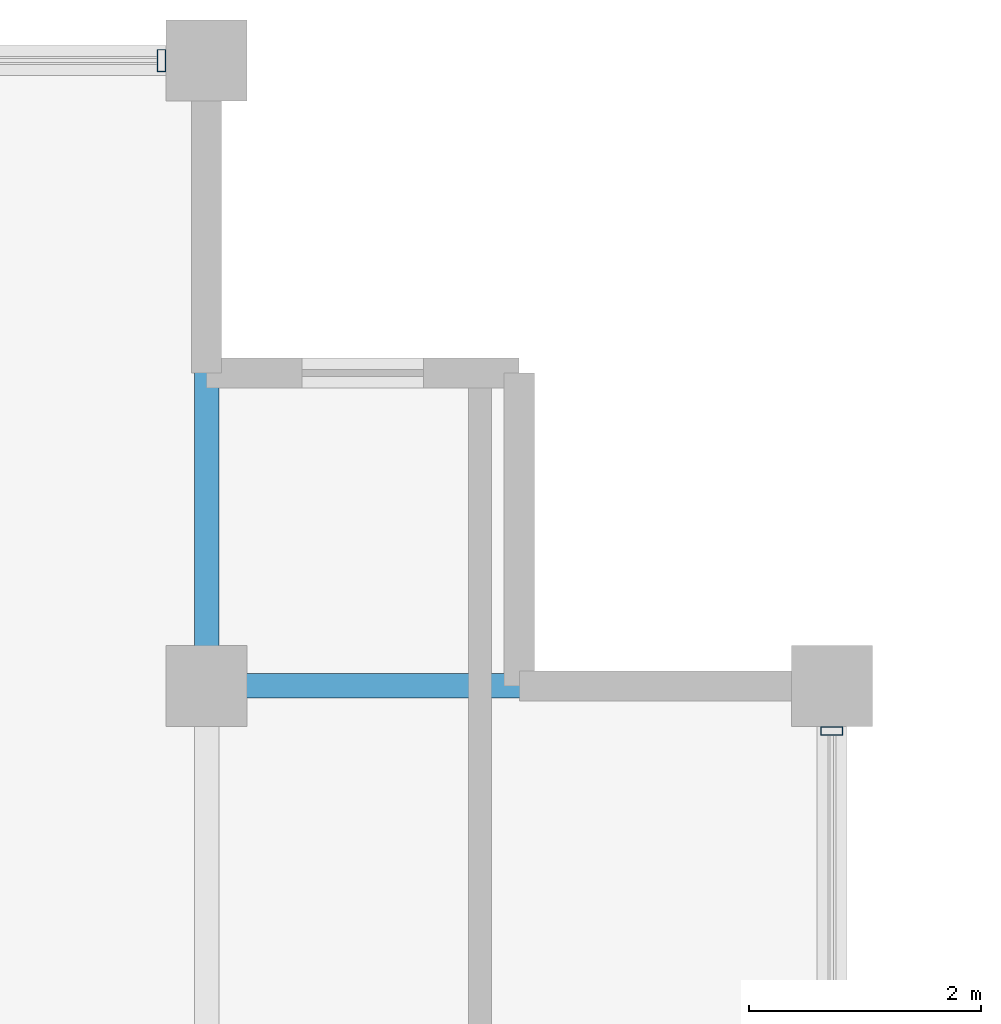
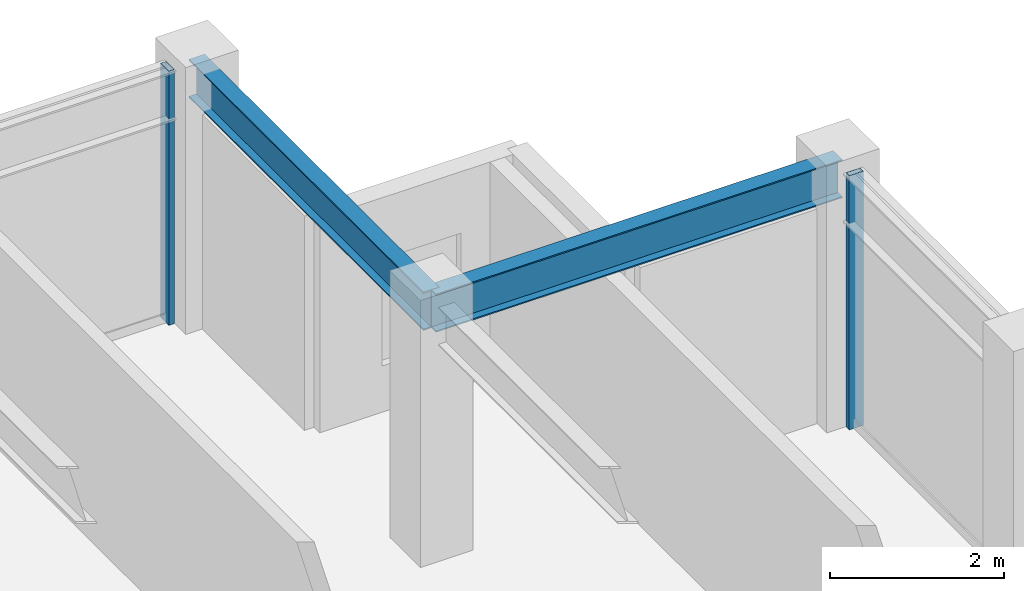
# One storey, part 20 of 29: 2 beams, 2 members, 2 elements without a shape of their own.
"""IFC4 building model written with IfcOpenShell, lengths in metres."""

from ifc_helpers import new_model, si_unit, direction, frame, origin, origin_2d, place, context, subcontext, project, spatial, hollow_rectangle, i_section, extrude, material, layer, layer_set, material_profile, profile_set, type_object, element, aggregate, save


model = new_model("IFC4")

# Units and contexts
model_context = context("Model", 3, precision=1e-05, world=origin(), true_north=direction((0.0, 1.0)))
body_context = subcontext(model_context, "Body", "Model", "MODEL_VIEW")
ifc_project = project(units=[si_unit("LENGTHUNIT", "METRE"), si_unit("AREAUNIT", "SQUARE_METRE"), si_unit("VOLUMEUNIT", "CUBIC_METRE"), si_unit("PLANEANGLEUNIT", "RADIAN"), si_unit("MASSUNIT", "GRAM", prefix="KILO")], contexts=[model_context])

# Site, building, storey
site_placement = place(None, origin())
site = spatial("IfcSite", under=ifc_project, at=site_placement, CompositionType="ELEMENT")
building_placement = place(site_placement, origin())
building = spatial("IfcBuilding", under=site, at=building_placement, Name="Surkhivell Harbour Commons", CompositionType="ELEMENT")
storey_placement = place(building_placement, frame((0.0, 0.0, 326.25)))
storey = spatial("IfcBuildingStorey", under=building, at=storey_placement, Name="L85", CompositionType="ELEMENT", Elevation=326.25)

# Beams
ifc_material_1 = material(Name="Steel S355", Category="steel")
ifc_material_profile_1 = material_profile(ifc_material_1, i_section(OverallWidth=0.2099609375, OverallDepth=0.537109375, WebThickness=0.0107421875, FlangeThickness=0.017333984375, at=origin_2d()), Name="UB533x210x101")
ifc_profile_set_1 = profile_set([ifc_material_profile_1], Name="Steel S355")
beam_type = type_object("IfcBeamType", Name="BM-GRD-533B", PredefinedType="BEAM", material=ifc_profile_set_1)
for number, where, z_axis, x_axis, name in (
    (1, (10.800048828125, 20.5, 3.301513671875), (0.0, 1.0, 0.0), (-1.0, 0.0, 0.0), "L85 Floor Girder (10.8,20.5)"),
    (2, (10.800048828125, 20.5, 3.301513671875), (1.0, 0.0, 0.0), (0.0, 1.0, 0.0), "L85 Floor Girder (10.8,20.5)"),
):
    element("IfcBeam", number, at=place(storey_placement, frame(where, z_axis=z_axis, x_axis=x_axis)), inside=storey, type_object=beam_type, Name=name, PredefinedType="BEAM", context=body_context, shape_type="SweptSolid", body=[
        extrude(i_section(OverallWidth=0.2099609375, OverallDepth=0.537109375, WebThickness=0.0107421875, FlangeThickness=0.017333984375, at=origin_2d()), origin(), (0.0, 0.0, 1.0), 5.39990234375),
    ])

# Curtain wall, member
ifc_material_2 = material(Name="Anodised pale-metal aluminium and insulated glazing", Category="aluminium")
ifc_layer = layer(ifc_material_2, 0.175048828125)
ifc_layer_set = layer_set([ifc_layer], Name="Anodised pale-metal aluminium and insulated glazing")
curtain_wall_type = type_object("IfcCurtainWallType", Name="CW-SYS-Z4", PredefinedType="NOTDEFINED", material=ifc_layer_set)
curtain_wall_1_placement = place(storey_placement, origin())
curtain_wall_1 = element("IfcCurtainWall", 3, at=curtain_wall_1_placement, inside=storey, type_object=curtain_wall_type, Name="L85 Curtain Wall CW-L85-E02", PredefinedType="NOTDEFINED")
ifc_material_3 = material(Name="Anodised pale-metal aluminium alloy 6063-T6", Category="aluminium")
ifc_material_profile_2 = material_profile(ifc_material_3, hollow_rectangle(XDim=0.074951171875, YDim=0.18994140625, WallThickness=0.00390625, at=origin_2d()), Name="ALU-MULL-75x190")
ifc_profile_set_2 = profile_set([ifc_material_profile_2], Name="Anodised pale-metal aluminium alloy 6063-T6")
member_type = type_object("IfcMemberType", Name="CWM-190", PredefinedType="MULLION", material=ifc_profile_set_2)
member_1_placement = place(storey_placement, frame((16.199951171875, 20.110595703125, 0.0), z_axis=(0.0, 0.0, 1.0), x_axis=(0.0, 1.0, 0.0)))
member_1 = element("IfcMember", 4, at=member_1_placement, type_object=member_type, Name="CW-Z4 mullion 6", PredefinedType="MULLION", context=body_context, shape_type="SweptSolid", body=[
    extrude(hollow_rectangle(XDim=0.074951171875, YDim=0.18994140625, WallThickness=0.00390625, at=origin_2d()), origin(), (0.0, 0.0, 1.0), 3.570068359375),
])
aggregate(curtain_wall_1, [member_1])

curtain_wall_2_placement = place(storey_placement, origin())
curtain_wall_2 = element("IfcCurtainWall", 5, at=curtain_wall_2_placement, inside=storey, type_object=curtain_wall_type, Name="L85 Curtain Wall CW-L85-E07S1", PredefinedType="NOTDEFINED")
member_2_placement = place(storey_placement, frame((10.410400390625, 25.89990234375, 0.0), z_axis=(0.0, 0.0, 1.0), x_axis=(-1.0, 0.0, 0.0)))
member_2 = element("IfcMember", 6, at=member_2_placement, type_object=member_type, Name="CW-Z4 mullion 1", PredefinedType="MULLION", context=body_context, shape_type="SweptSolid", body=[
    extrude(hollow_rectangle(XDim=0.074951171875, YDim=0.18994140625, WallThickness=0.00390625, at=origin_2d()), origin(), (0.0, 0.0, 1.0), 3.570068359375),
])
aggregate(curtain_wall_2, [member_2])

save(model, "model.ifc")
